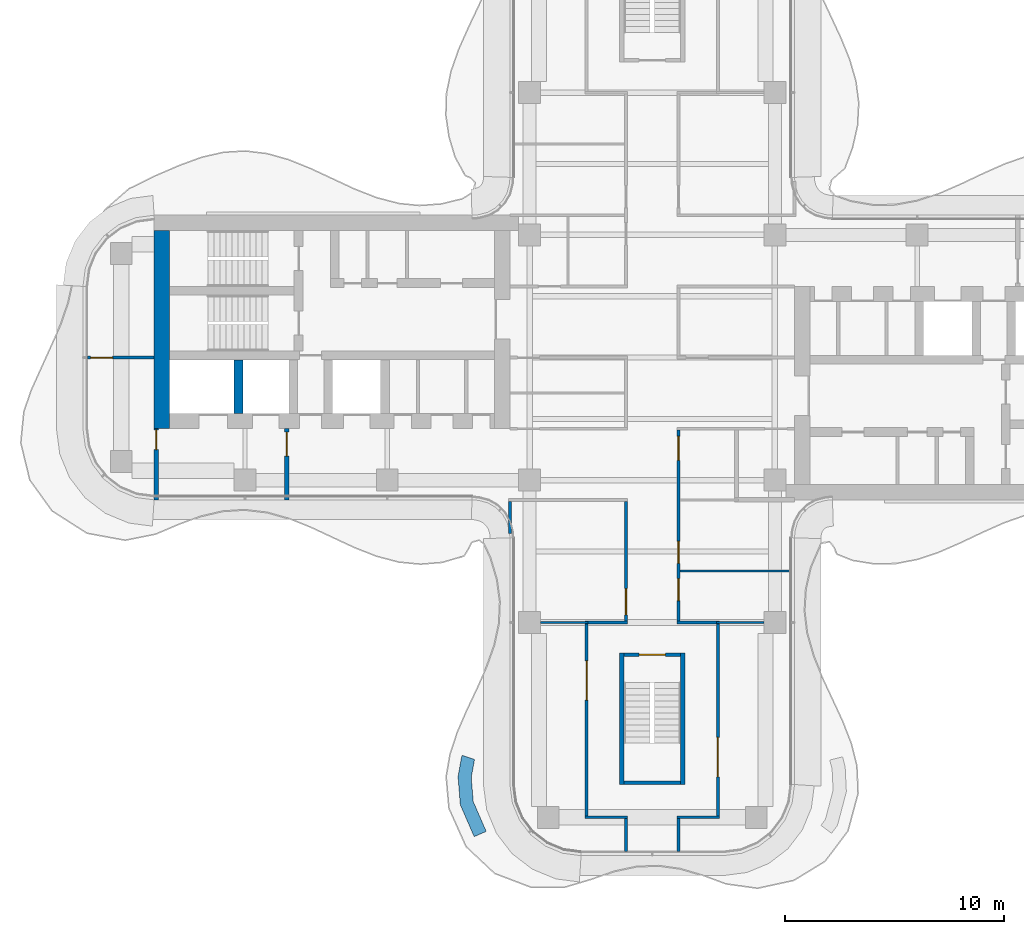
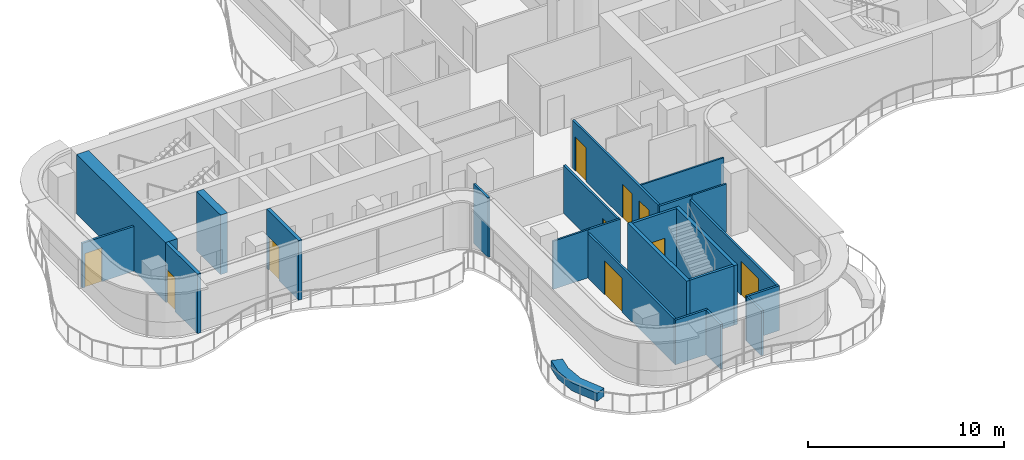
# One storey, part 11 of 17: 24 walls, 10 doors, 10 openings.
"""IFC4 building model written with IfcOpenShell, lengths in metres."""

from ifc_helpers import new_model, si_unit, direction, frame, frame_2d, origin, place, context, subcontext, project, spatial, polyline, rectangle, outline, extrude, source, transform, mapped, material, layer, layer_set, type_object, element, fill, save


model = new_model("IFC4")

# Units and contexts
model_context = context("Model", 3, precision=1e-05, world=origin(), true_north=direction((0.0, 1.0)))
body_context = subcontext(model_context, "Body", "Model", "MODEL_VIEW")
ifc_project = project(units=[si_unit("LENGTHUNIT", "METRE"), si_unit("AREAUNIT", "SQUARE_METRE"), si_unit("VOLUMEUNIT", "CUBIC_METRE"), si_unit("PLANEANGLEUNIT", "RADIAN"), si_unit("MASSUNIT", "GRAM", prefix="KILO")], contexts=[model_context])

# Site, building, storey
site_placement = place(None, origin())
site = spatial("IfcSite", under=ifc_project, at=site_placement, CompositionType="ELEMENT")
building_placement = place(site_placement, origin())
building = spatial("IfcBuilding", under=site, at=building_placement, Name="Trellis Farm Tower", CompositionType="ELEMENT")
storey_placement = place(building_placement, frame((0.0, 0.0, 295.0)))
storey = spatial("IfcBuildingStorey", under=building, at=storey_placement, Name="L66", CompositionType="ELEMENT", Elevation=295.0)

# Walls
ifc_material_1 = material(Name="Sandstone faced masonry planter", Category="masonry")
ifc_layer_1 = layer(ifc_material_1, 0.60009765625)
ifc_layer_set_1 = layer_set([ifc_layer_1], Name="PLANTER BED 600")
wall_type_1 = type_object("IfcWallType", Name="PLANTER BED 600", PredefinedType="USERDEFINED", material=ifc_layer_set_1)
wall_1_placement = place(storey_placement, origin())
element("IfcWall", 1, at=wall_1_placement, inside=storey, type_object=wall_type_1, Name="PLANTER bed", ObjectType="PLANTER", PredefinedType="USERDEFINED", context=body_context, shape_type="SweptSolid", body=[
    extrude(outline(polyline([(-8.86962890625, -19.146484375), (-8.7119140625, -18.24609375), (-8.684814453125, -18.164306640625), (-8.114990234375, -18.35205078125), (-8.265380859375, -19.17431640625), (-8.175048828125, -20.2802734375), (-7.58251953125, -21.6416015625), (-8.1328125, -21.880859375), (-8.764892578125, -20.42822265625), (-8.86962890625, -19.146484375)])), origin(), (0.0, 0.0, 1.0), 0.5),
])
ifc_material_2 = material(Name="Concrete C50/60", Category="concrete")
ifc_layer_2 = layer(ifc_material_2, 0.699951171875)
ifc_layer_set_2 = layer_set([ifc_layer_2], Name="CORE OUTER WALL 700 CONCRETE C50/60")
wall_type_2 = type_object("IfcWallType", Name="CORE OUTER WALL 700 CONCRETE C50/60", PredefinedType="SHEAR", material=ifc_layer_set_2)
shared_shape_1 = source(origin(), body_context, "Body", "SweptSolid", [
    extrude(rectangle(XDim=9.050048828125, YDim=0.699951171875, at=frame_2d((4.52490234375, 0.0))), origin(), (0.0, 0.0, 1.0), 3.699951171875),
])
wall_2_placement = place(storey_placement, frame((-22.39990234375, 5.800048828125, 0.0), z_axis=(0.0, 0.0, 1.0), x_axis=(0.0, -1.0, 0.0)))
element("IfcWall", 2, at=wall_2_placement, inside=storey, type_object=wall_type_2, Name="Core wall", PredefinedType="SHEAR", context=body_context, shape_type="MappedRepresentation", body=[
    mapped(shared_shape_1, transform((0.0, 0.0, 0.0))),
])
ifc_layer_3 = layer(ifc_material_2, 0.39990234375)
ifc_layer_set_3 = layer_set([ifc_layer_3], Name="CORE INNER WALL 400 CONCRETE C50/60")
wall_type_3 = type_object("IfcWallType", Name="CORE INNER WALL 400 CONCRETE C50/60", PredefinedType="SHEAR", material=ifc_layer_set_3)
shared_shape_2 = source(origin(), body_context, "Body", "SweptSolid", [
    extrude(rectangle(XDim=2.449951171875, YDim=0.39990234375, at=frame_2d((1.22509765625, 0.0))), origin(), (0.0, 0.0, 1.0), 3.699951171875),
])
wall_3_placement = place(storey_placement, frame((-18.89990234375, -0.10009765625, 0.0), z_axis=(0.0, 0.0, 1.0), x_axis=(0.0, -1.0, 0.0)))
element("IfcWall", 3, at=wall_3_placement, inside=storey, type_object=wall_type_3, Name="Core wall", PredefinedType="SHEAR", context=body_context, shape_type="MappedRepresentation", body=[
    mapped(shared_shape_2, transform((0.0, 0.0, 0.0))),
])

# Wall, opening, door
ifc_material_3 = material(Name="Masonry blockwork", Category="masonry")
ifc_layer_4 = layer(ifc_material_3, 0.199951171875)
ifc_layer_set_4 = layer_set([ifc_layer_4], Name="FIRE LOBBY PARTITION 200 BLOCKWORK")
wall_type_4 = type_object("IfcWallType", Name="FIRE LOBBY PARTITION 200 BLOCKWORK", PredefinedType="PARTITIONING", material=ifc_layer_set_4)
shared_shape_3 = source(origin(), body_context, "Body", "SweptSolid", [
    extrude(rectangle(XDim=3.25, YDim=0.199951171875, at=frame_2d((1.625, 0.0))), origin(), (0.0, 0.0, 1.0), 3.699951171875),
])
wall_4_placement = place(storey_placement, frame((-16.699951171875, -3.25, 0.0), z_axis=(0.0, 0.0, 1.0), x_axis=(0.0, -1.0, 0.0)))
wall_4 = element("IfcWall", 4, at=wall_4_placement, inside=storey, type_object=wall_type_4, Name="Fire-fighting lobby partition", PredefinedType="PARTITIONING", context=body_context, shape_type="MappedRepresentation", body=[
    mapped(shared_shape_3, transform((0.0, 0.0, 0.0))),
])
shared_shape_4 = source(origin(), body_context, "Body", "SweptSolid", [
    extrude(rectangle(XDim=1.10009765625, YDim=2.10009765625, at=frame_2d((0.550048828125, 1.050048828125))), frame((0.0, 0.110107421875, 0.0), z_axis=(0.0, -1.0, 0.0), x_axis=(1.0, 0.0, 0.0)), (0.0, 0.0, 1.0), 0.22021484375),
])
opening_1_placement = place(wall_4_placement, frame((0.14990234375, 0.0, 0.0)))
opening_1 = element("IfcOpeningElement", 5, at=opening_1_placement, cuts=wall_4, Name="Opening DC93", PredefinedType="OPENING", context=body_context, shape_type="MappedRepresentation", body=[
    mapped(shared_shape_4, transform((0.0, 0.0, 0.0))),
])
ifc_material_4 = material(Name="Steel", Category="steel")
door_type_1 = type_object("IfcDoorType", Name="CORE FIRE DOOR 1100 X 2100", OperationType="NOTDEFINED", PredefinedType="DOOR", material=ifc_material_4)
shared_shape_5 = source(origin(), body_context, "Body", "SweptSolid", [
    extrude(rectangle(XDim=1.10009765625, YDim=2.10009765625, at=frame_2d((0.550048828125, 1.050048828125))), frame((0.0, 0.02490234375, 0.0), z_axis=(0.0, -1.0, 0.0), x_axis=(1.0, 0.0, 0.0)), (0.0, 0.0, 1.0), 0.050048828125),
])
door_1_placement = place(opening_1_placement, origin())
door_1 = element("IfcDoor", 6, at=door_1_placement, inside=storey, type_object=door_type_1, Name="Core door", OperationType="SINGLE_SWING_RIGHT", OverallHeight=2.10009765625, OverallWidth=1.10009765625, PredefinedType="DOOR", context=body_context, shape_type="MappedRepresentation", body=[
    mapped(shared_shape_5, transform((0.0, 0.0, 0.0))),
])
fill(opening_1, door_1)

wall_5_placement = place(storey_placement, frame((-22.64990234375, -3.25, 0.0), z_axis=(0.0, 0.0, 1.0), x_axis=(0.0, -1.0, 0.0)))
wall_5 = element("IfcWall", 7, at=wall_5_placement, inside=storey, type_object=wall_type_4, Name="Fire-fighting lobby partition", PredefinedType="PARTITIONING", context=body_context, shape_type="MappedRepresentation", body=[
    mapped(shared_shape_3, transform((0.0, 0.0, 0.0))),
])
shared_shape_6 = source(origin(), body_context, "Body", "SweptSolid", [
    extrude(rectangle(XDim=0.89990234375, YDim=2.10009765625, at=frame_2d((0.449951171875, 1.050048828125))), frame((0.0, 0.110107421875, 0.0), z_axis=(0.0, -1.0, 0.0), x_axis=(1.0, 0.0, 0.0)), (0.0, 0.0, 1.0), 0.22021484375),
])
opening_2_placement = place(wall_5_placement, frame((0.050048828125, 0.0, 0.0)))
opening_2 = element("IfcOpeningElement", 8, at=opening_2_placement, cuts=wall_5, Name="Opening DC94", PredefinedType="OPENING", context=body_context, shape_type="MappedRepresentation", body=[
    mapped(shared_shape_6, transform((0.0, 0.0, 0.0))),
])
door_type_2 = type_object("IfcDoorType", Name="CORE FIRE DOOR 900 X 2100", OperationType="NOTDEFINED", PredefinedType="DOOR", material=ifc_material_4)
shared_shape_7 = source(origin(), body_context, "Body", "SweptSolid", [
    extrude(rectangle(XDim=0.89990234375, YDim=2.10009765625, at=frame_2d((0.449951171875, 1.050048828125))), frame((0.0, 0.02490234375, 0.0), z_axis=(0.0, -1.0, 0.0), x_axis=(1.0, 0.0, 0.0)), (0.0, 0.0, 1.0), 0.050048828125),
])
door_2_placement = place(opening_2_placement, origin())
door_2 = element("IfcDoor", 9, at=door_2_placement, inside=storey, type_object=door_type_2, Name="Core door", OperationType="SINGLE_SWING_RIGHT", OverallHeight=2.10009765625, OverallWidth=0.89990234375, PredefinedType="DOOR", context=body_context, shape_type="MappedRepresentation", body=[
    mapped(shared_shape_7, transform((0.0, 0.0, 0.0))),
])
fill(opening_2, door_2)

# Walls
ifc_layer_5 = layer(ifc_material_2, 0.199951171875)
ifc_layer_set_5 = layer_set([ifc_layer_5], Name="CORE STAIR ENCLOSURE WALL 200 CONCRETE C50/60")
wall_type_5 = type_object("IfcWallType", Name="CORE STAIR ENCLOSURE WALL 200 CONCRETE C50/60", PredefinedType="SHEAR", material=ifc_layer_set_5)
shared_shape_8 = source(origin(), body_context, "Body", "SweptSolid", [
    extrude(rectangle(XDim=6.0, YDim=0.199951171875, at=frame_2d((3.0, 0.0))), origin(), (0.0, 0.0, 1.0), 3.699951171875),
])
for number, where, z_axis, x_axis, name in (
    (10, (1.39990234375, -13.5, 0.0), (0.0, 0.0, 1.0), (0.0, -1.0, 0.0), "Stair enclosure wall"),
    (11, (-1.39990234375, -13.5, 0.0), (0.0, 0.0, 1.0), (0.0, -1.0, 0.0), "Stair enclosure wall"),
):
    element("IfcWall", number, at=place(storey_placement, frame(where, z_axis=z_axis, x_axis=x_axis)), inside=storey, type_object=wall_type_5, Name=name, PredefinedType="SHEAR", context=body_context, shape_type="MappedRepresentation", body=[
        mapped(shared_shape_8, transform((0.0, 0.0, 0.0))),
    ])

# Wall, opening, door
ifc_layer_6 = layer(ifc_material_2, 0.14990234375)
ifc_layer_set_6 = layer_set([ifc_layer_6], Name="CORE STAIR ENCLOSURE WALL 150 CONCRETE C50/60")
wall_type_6 = type_object("IfcWallType", Name="CORE STAIR ENCLOSURE WALL 150 CONCRETE C50/60", PredefinedType="SHEAR", material=ifc_layer_set_6)
shared_shape_9 = source(origin(), body_context, "Body", "SweptSolid", [
    extrude(rectangle(XDim=2.60009765625, YDim=0.14990234375, at=frame_2d((1.300048828125, 0.0))), origin(), (0.0, 0.0, 1.0), 3.699951171875),
])
wall_6_placement = place(storey_placement, frame((1.300048828125, -13.574951171875, 0.0), z_axis=(0.0, 0.0, 1.0), x_axis=(-1.0, 0.0, 0.0)))
wall_6 = element("IfcWall", 12, at=wall_6_placement, inside=storey, type_object=wall_type_6, Name="Stair enclosure wall", PredefinedType="SHEAR", context=body_context, shape_type="MappedRepresentation", body=[
    mapped(shared_shape_9, transform((0.0, 0.0, 0.0))),
])
shared_shape_10 = source(origin(), body_context, "Body", "SweptSolid", [
    extrude(rectangle(XDim=1.199951171875, YDim=2.10009765625, at=frame_2d((0.60009765625, 1.050048828125))), frame((0.0, 0.0849609375, 0.0), z_axis=(0.0, -1.0, 0.0), x_axis=(1.0, 0.0, 0.0)), (0.0, 0.0, 1.0), 0.169921875),
])
opening_3_placement = place(wall_6_placement, frame((0.699951171875, 0.0, 0.0)))
opening_3 = element("IfcOpeningElement", 13, at=opening_3_placement, cuts=wall_6, Name="Opening DC174", PredefinedType="OPENING", context=body_context, shape_type="MappedRepresentation", body=[
    mapped(shared_shape_10, transform((0.0, 0.0, 0.0))),
])
door_type_3 = type_object("IfcDoorType", Name="CORE FIRE DOOR 1200 X 2100", OperationType="NOTDEFINED", PredefinedType="DOOR", material=ifc_material_4)
shared_shape_11 = source(origin(), body_context, "Body", "SweptSolid", [
    extrude(rectangle(XDim=1.199951171875, YDim=2.10009765625, at=frame_2d((0.60009765625, 1.050048828125))), frame((0.0, 0.02490234375, 0.0), z_axis=(0.0, -1.0, 0.0), x_axis=(1.0, 0.0, 0.0)), (0.0, 0.0, 1.0), 0.050048828125),
])
door_3_placement = place(opening_3_placement, origin())
door_3 = element("IfcDoor", 14, at=door_3_placement, inside=storey, type_object=door_type_3, Name="Core door", OperationType="SINGLE_SWING_RIGHT", OverallHeight=2.10009765625, OverallWidth=1.199951171875, PredefinedType="DOOR", context=body_context, shape_type="MappedRepresentation", body=[
    mapped(shared_shape_11, transform((0.0, 0.0, 0.0))),
])
fill(opening_3, door_3)

# Wall
wall_7_placement = place(storey_placement, frame((1.300048828125, -19.425048828125, 0.0), z_axis=(0.0, 0.0, 1.0), x_axis=(-1.0, 0.0, 0.0)))
element("IfcWall", 15, at=wall_7_placement, inside=storey, type_object=wall_type_6, Name="Stair enclosure wall", PredefinedType="SHEAR", context=body_context, shape_type="MappedRepresentation", body=[
    mapped(shared_shape_9, transform((0.0, 0.0, 0.0))),
])

# Wall, opening, door
ifc_material_5 = material(Name="Plasterboard on steel studs, mineral wool", Category="steel")
ifc_layer_7 = layer(ifc_material_5, 0.125)
ifc_layer_set_7 = layer_set([ifc_layer_7], Name="PARTITION 125 STUD EI 60")
wall_type_7 = type_object("IfcWallType", Name="PARTITION 125 STUD EI 60", PredefinedType="PARTITIONING", material=ifc_layer_set_7)
shared_shape_12 = source(origin(), body_context, "Body", "SweptSolid", [
    extrude(rectangle(XDim=5.47509765625, YDim=0.125, at=frame_2d((2.737548828125, 0.0))), origin(), (0.0, 0.0, 1.0), 2.99658203125),
])
wall_8_placement = place(storey_placement, frame((-1.199951171875, -6.5625, 0.0), z_axis=(0.0, 0.0, 1.0), x_axis=(0.0, -1.0, 0.0)))
wall_8 = element("IfcWall", 16, at=wall_8_placement, inside=storey, type_object=wall_type_7, Name="Partition PW1", PredefinedType="PARTITIONING", context=body_context, shape_type="MappedRepresentation", body=[
    mapped(shared_shape_12, transform((0.0, 0.0, 0.0))),
])
shared_shape_13 = source(origin(), body_context, "Body", "SweptSolid", [
    extrude(rectangle(XDim=1.199951171875, YDim=2.10009765625, at=frame_2d((0.60009765625, 1.050048828125))), frame((0.0, 0.072509765625, 0.0), z_axis=(0.0, -1.0, 0.0), x_axis=(1.0, 0.0, 0.0)), (0.0, 0.0, 1.0), 0.14501953125),
])
opening_4_placement = place(wall_8_placement, frame((3.987548828125, 0.0, 0.0)))
opening_4 = element("IfcOpeningElement", 17, at=opening_4_placement, cuts=wall_8, Name="Opening D601", PredefinedType="OPENING", context=body_context, shape_type="MappedRepresentation", body=[
    mapped(shared_shape_13, transform((0.0, 0.0, 0.0))),
])
ifc_material_6 = material(Name="Fire-rated timber door leaf in a hollow metal frame", Category="wood")
door_type_4 = type_object("IfcDoorType", Name="DOOR 1200x2100 FD30S", OperationType="NOTDEFINED", PredefinedType="DOOR", material=ifc_material_6)
door_4_placement = place(opening_4_placement, origin())
door_4 = element("IfcDoor", 18, at=door_4_placement, inside=storey, type_object=door_type_4, Name="Door D601", OperationType="SINGLE_SWING_RIGHT", OverallHeight=2.10009765625, OverallWidth=1.199951171875, PredefinedType="DOOR", context=body_context, shape_type="MappedRepresentation", body=[
    mapped(shared_shape_11, transform((0.0, 0.0, 0.0))),
])
fill(opening_4, door_4)

# Wall
shared_shape_14 = source(origin(), body_context, "Body", "SweptSolid", [
    extrude(rectangle(XDim=1.468994140625, YDim=0.125, at=frame_2d((0.734375, 0.0))), origin(), (0.0, 0.0, 1.0), 3.699951171875),
])
wall_9_placement = place(storey_placement, frame((-6.5, -6.5625, 0.0), z_axis=(0.0, 0.0, 1.0), x_axis=(0.0, -1.0, 0.0)))
element("IfcWall", 19, at=wall_9_placement, inside=storey, type_object=wall_type_7, Name="Partition PW1", PredefinedType="PARTITIONING", context=body_context, shape_type="MappedRepresentation", body=[
    mapped(shared_shape_14, transform((0.0, 0.0, 0.0))),
])

# Wall, openings, doors
shared_shape_15 = source(origin(), body_context, "Body", "SweptSolid", [
    extrude(rectangle(XDim=8.72509765625, YDim=0.125, at=frame_2d((4.362548828125, 0.0))), origin(), (0.0, 0.0, 1.0), 2.99658203125),
])
wall_10_placement = place(storey_placement, frame((1.199951171875, -3.3125, 0.0), z_axis=(0.0, 0.0, 1.0), x_axis=(0.0, -1.0, 0.0)))
wall_10 = element("IfcWall", 20, at=wall_10_placement, inside=storey, type_object=wall_type_7, Name="Partition PW1", PredefinedType="PARTITIONING", context=body_context, shape_type="MappedRepresentation", body=[
    mapped(shared_shape_15, transform((0.0, 0.0, 0.0))),
])
shared_shape_16 = source(origin(), body_context, "Body", "SweptSolid", [
    extrude(rectangle(XDim=1.0, YDim=2.10009765625, at=frame_2d((0.5, 1.050048828125))), frame((0.0, 0.072509765625, 0.0), z_axis=(0.0, -1.0, 0.0), x_axis=(1.0, 0.0, 0.0)), (0.0, 0.0, 1.0), 0.14501953125),
])
opening_5_placement = place(wall_10_placement, frame((6.78759765625, 0.0, 0.0)))
opening_5 = element("IfcOpeningElement", 21, at=opening_5_placement, cuts=wall_10, Name="Opening D101", PredefinedType="OPENING", context=body_context, shape_type="MappedRepresentation", body=[
    mapped(shared_shape_16, transform((0.0, 0.0, 0.0))),
])
opening_6_placement = place(wall_10_placement, frame((5.08740234375, 0.0, 0.0)))
opening_6 = element("IfcOpeningElement", 22, at=opening_6_placement, cuts=wall_10, Name="Opening D102", PredefinedType="OPENING", context=body_context, shape_type="MappedRepresentation", body=[
    mapped(shared_shape_16, transform((0.0, 0.0, 0.0))),
])
shared_shape_17 = source(origin(), body_context, "Body", "SweptSolid", [
    extrude(rectangle(XDim=1.10009765625, YDim=2.10009765625, at=frame_2d((0.550048828125, 1.050048828125))), frame((0.0, 0.072509765625, 0.0), z_axis=(0.0, -1.0, 0.0), x_axis=(1.0, 0.0, 0.0)), (0.0, 0.0, 1.0), 0.14501953125),
])
opening_7_placement = place(wall_10_placement, frame((0.28759765625, 0.0, 0.0)))
opening_7 = element("IfcOpeningElement", 23, at=opening_7_placement, cuts=wall_10, Name="Opening D501", PredefinedType="OPENING", context=body_context, shape_type="MappedRepresentation", body=[
    mapped(shared_shape_17, transform((0.0, 0.0, 0.0))),
])
door_type_5 = type_object("IfcDoorType", Name="DOOR 1100x2100 FD30S", OperationType="NOTDEFINED", PredefinedType="DOOR", material=ifc_material_6)
door_5_placement = place(opening_7_placement, origin())
door_5 = element("IfcDoor", 24, at=door_5_placement, inside=storey, type_object=door_type_5, Name="Door D501", OperationType="SINGLE_SWING_LEFT", OverallHeight=2.10009765625, OverallWidth=1.10009765625, PredefinedType="DOOR", context=body_context, shape_type="MappedRepresentation", body=[
    mapped(shared_shape_5, transform((0.0, 0.0, 0.0))),
])
fill(opening_7, door_5)
door_type_6 = type_object("IfcDoorType", Name="DOOR 1000x2100 FD30S", OperationType="NOTDEFINED", PredefinedType="DOOR", material=ifc_material_6)
shared_shape_18 = source(origin(), body_context, "Body", "SweptSolid", [
    extrude(rectangle(XDim=1.0, YDim=2.10009765625, at=frame_2d((0.5, 1.050048828125))), frame((0.0, 0.02490234375, 0.0), z_axis=(0.0, -1.0, 0.0), x_axis=(1.0, 0.0, 0.0)), (0.0, 0.0, 1.0), 0.050048828125),
])
door_6_placement = place(opening_5_placement, origin())
door_6 = element("IfcDoor", 25, at=door_6_placement, inside=storey, type_object=door_type_6, Name="Door D101", OperationType="SINGLE_SWING_LEFT", OverallHeight=2.10009765625, OverallWidth=1.0, PredefinedType="DOOR", context=body_context, shape_type="MappedRepresentation", body=[
    mapped(shared_shape_18, transform((0.0, 0.0, 0.0))),
])
fill(opening_5, door_6)
door_7_placement = place(opening_6_placement, origin())
door_7 = element("IfcDoor", 26, at=door_7_placement, inside=storey, type_object=door_type_6, Name="Door D102", OperationType="SINGLE_SWING_RIGHT", OverallHeight=2.10009765625, OverallWidth=1.0, PredefinedType="DOOR", context=body_context, shape_type="MappedRepresentation", body=[
    mapped(shared_shape_18, transform((0.0, 0.0, 0.0))),
])
fill(opening_6, door_7)

# Walls
shared_shape_19 = source(origin(), body_context, "Body", "SweptSolid", [
    extrude(rectangle(XDim=1.925048828125, YDim=0.125, at=frame_2d((0.96240234375, 0.0))), origin(), (0.0, 0.0, 1.0), 2.99658203125),
])
for number, where, z_axis, x_axis, name in (
    (27, (-3.0625, -12.10009765625, 0.0), (0.0, 0.0, 1.0), (1.0, 0.0, 0.0), "Partition PW1"),
    (28, (1.137451171875, -12.10009765625, 0.0), (0.0, 0.0, 1.0), (1.0, 0.0, 0.0), "Partition PW1"),
):
    element("IfcWall", number, at=place(storey_placement, frame(where, z_axis=z_axis, x_axis=x_axis)), inside=storey, type_object=wall_type_7, Name=name, PredefinedType="PARTITIONING", context=body_context, shape_type="MappedRepresentation", body=[
        mapped(shared_shape_19, transform((0.0, 0.0, 0.0))),
    ])
ifc_material_7 = material(Name="Plasterboard on steel studs", Category="steel")
ifc_layer_8 = layer(ifc_material_7, 0.10009765625)
ifc_layer_set_8 = layer_set([ifc_layer_8], Name="PARTITION 100 STUD EI 30")
wall_type_8 = type_object("IfcWallType", Name="PARTITION 100 STUD EI 30", PredefinedType="PARTITIONING", material=ifc_layer_set_8)
shared_shape_20 = source(origin(), body_context, "Body", "SweptSolid", [
    extrude(rectangle(XDim=5.03759765625, YDim=0.10009765625, at=frame_2d((2.518798828125, 0.0))), origin(), (0.0, 0.0, 1.0), 2.780029296875),
])
wall_11_placement = place(storey_placement, frame((1.262451171875, -9.75, 0.0), z_axis=(0.0, 0.0, 1.0), x_axis=(1.0, 0.0, 0.0)))
element("IfcWall", 29, at=wall_11_placement, inside=storey, type_object=wall_type_8, Name="Partition PW2", PredefinedType="PARTITIONING", context=body_context, shape_type="MappedRepresentation", body=[
    mapped(shared_shape_20, transform((0.0, 0.0, 0.0))),
])
shared_shape_21 = source(origin(), body_context, "Body", "SweptSolid", [
    extrude(rectangle(XDim=1.487548828125, YDim=0.125, at=frame_2d((0.74365234375, 0.0))), origin(), (0.0, 0.0, 1.0), 2.780029296875),
])
for number, where, z_axis, x_axis, name in (
    (30, (-1.199951171875, -21.0625, 0.0), (0.0, 0.0, 1.0), (0.0, -1.0, 0.0), "Partition PW1"),
    (31, (1.199951171875, -21.0625, 0.0), (0.0, 0.0, 1.0), (0.0, -1.0, 0.0), "Partition PW1"),
):
    element("IfcWall", number, at=place(storey_placement, frame(where, z_axis=z_axis, x_axis=x_axis)), inside=storey, type_object=wall_type_7, Name=name, PredefinedType="PARTITIONING", context=body_context, shape_type="MappedRepresentation", body=[
        mapped(shared_shape_21, transform((0.0, 0.0, 0.0))),
    ])
shared_shape_22 = source(origin(), body_context, "Body", "SweptSolid", [
    extrude(rectangle(XDim=1.925048828125, YDim=0.125, at=frame_2d((0.96240234375, 0.0))), origin(), (0.0, 0.0, 1.0), 2.780029296875),
])
for number, where, z_axis, x_axis, name in (
    (32, (-1.137451171875, -21.0, 0.0), (0.0, 0.0, 1.0), (-1.0, 0.0, 0.0), "Partition PW1"),
    (33, (3.0625, -21.0, 0.0), (0.0, 0.0, 1.0), (-1.0, 0.0, 0.0), "Partition PW1"),
):
    element("IfcWall", number, at=place(storey_placement, frame(where, z_axis=z_axis, x_axis=x_axis)), inside=storey, type_object=wall_type_7, Name=name, PredefinedType="PARTITIONING", context=body_context, shape_type="MappedRepresentation", body=[
        mapped(shared_shape_22, transform((0.0, 0.0, 0.0))),
    ])

# Wall, opening, door
shared_shape_23 = source(origin(), body_context, "Body", "SweptSolid", [
    extrude(rectangle(XDim=8.78759765625, YDim=0.125, at=frame_2d((4.393798828125, 0.0))), origin(), (0.0, 0.0, 1.0), 2.780029296875),
])
wall_12_placement = place(storey_placement, frame((-3.0, -20.9375, 0.0), z_axis=(0.0, 0.0, 1.0), x_axis=(0.0, 1.0, 0.0)))
wall_12 = element("IfcWall", 34, at=wall_12_placement, inside=storey, type_object=wall_type_7, Name="Partition PW1", PredefinedType="PARTITIONING", context=body_context, shape_type="MappedRepresentation", body=[
    mapped(shared_shape_23, transform((0.0, 0.0, 0.0))),
])
shared_shape_24 = source(origin(), body_context, "Body", "SweptSolid", [
    extrude(rectangle(XDim=1.800048828125, YDim=2.10009765625, at=frame_2d((0.89990234375, 1.050048828125))), frame((0.0, 0.072509765625, 0.0), z_axis=(0.0, -1.0, 0.0), x_axis=(1.0, 0.0, 0.0)), (0.0, 0.0, 1.0), 0.14501953125),
])
opening_8_placement = place(wall_12_placement, frame((5.28759765625, 0.0, 0.0)))
opening_8 = element("IfcOpeningElement", 35, at=opening_8_placement, cuts=wall_12, Name="Opening D202", PredefinedType="OPENING", context=body_context, shape_type="MappedRepresentation", body=[
    mapped(shared_shape_24, transform((0.0, 0.0, 0.0))),
])
door_type_7 = type_object("IfcDoorType", Name="DOOR PAIR 1800x2100 FD30S", OperationType="NOTDEFINED", PredefinedType="DOOR", material=ifc_material_6)
shared_shape_25 = source(origin(), body_context, "Body", "SweptSolid", [
    extrude(rectangle(XDim=1.800048828125, YDim=2.10009765625, at=frame_2d((0.89990234375, 1.050048828125))), frame((0.0, 0.02490234375, 0.0), z_axis=(0.0, -1.0, 0.0), x_axis=(1.0, 0.0, 0.0)), (0.0, 0.0, 1.0), 0.050048828125),
])
door_8_placement = place(opening_8_placement, origin())
door_8 = element("IfcDoor", 36, at=door_8_placement, inside=storey, type_object=door_type_7, Name="Door D202", OperationType="DOUBLE_DOOR_SINGLE_SWING", OverallHeight=2.10009765625, OverallWidth=1.800048828125, PredefinedType="DOOR", context=body_context, shape_type="MappedRepresentation", body=[
    mapped(shared_shape_25, transform((0.0, 0.0, 0.0))),
])
fill(opening_8, door_8)

wall_13_placement = place(storey_placement, frame((3.0, -12.14990234375, 0.0), z_axis=(0.0, 0.0, 1.0), x_axis=(0.0, -1.0, 0.0)))
wall_13 = element("IfcWall", 37, at=wall_13_placement, inside=storey, type_object=wall_type_7, Name="Partition PW1", PredefinedType="PARTITIONING", context=body_context, shape_type="MappedRepresentation", body=[
    mapped(shared_shape_23, transform((0.0, 0.0, 0.0))),
])
opening_9_placement = place(wall_13_placement, frame((5.199951171875, 0.0, 0.0)))
opening_9 = element("IfcOpeningElement", 38, at=opening_9_placement, cuts=wall_13, Name="Opening D201", PredefinedType="OPENING", context=body_context, shape_type="MappedRepresentation", body=[
    mapped(shared_shape_24, transform((0.0, 0.0, 0.0))),
])
door_9_placement = place(opening_9_placement, origin())
door_9 = element("IfcDoor", 39, at=door_9_placement, inside=storey, type_object=door_type_7, Name="Door D201", OperationType="DOUBLE_DOOR_SINGLE_SWING", OverallHeight=2.10009765625, OverallWidth=1.800048828125, PredefinedType="DOOR", context=body_context, shape_type="MappedRepresentation", body=[
    mapped(shared_shape_25, transform((0.0, 0.0, 0.0))),
])
fill(opening_9, door_9)

shared_shape_26 = source(origin(), body_context, "Body", "SweptSolid", [
    extrude(rectangle(XDim=3.050048828125, YDim=0.125, at=frame_2d((1.52490234375, 0.0))), origin(), (0.0, 0.0, 1.0), 2.780029296875),
])
wall_14_placement = place(storey_placement, frame((-25.800048828125, 0.0, 0.0), z_axis=(0.0, 0.0, 1.0), x_axis=(1.0, 0.0, 0.0)))
wall_14 = element("IfcWall", 40, at=wall_14_placement, inside=storey, type_object=wall_type_7, Name="Partition PW1", PredefinedType="PARTITIONING", context=body_context, shape_type="MappedRepresentation", body=[
    mapped(shared_shape_26, transform((0.0, 0.0, 0.0))),
])
opening_10_placement = place(wall_14_placement, frame((0.14990234375, 0.0, 0.0)))
opening_10 = element("IfcOpeningElement", 41, at=opening_10_placement, cuts=wall_14, Name="Opening D104", PredefinedType="OPENING", context=body_context, shape_type="MappedRepresentation", body=[
    mapped(shared_shape_16, transform((0.0, 0.0, 0.0))),
])
door_10_placement = place(opening_10_placement, origin())
door_10 = element("IfcDoor", 42, at=door_10_placement, inside=storey, type_object=door_type_6, Name="Door D104", OperationType="SINGLE_SWING_LEFT", OverallHeight=2.10009765625, OverallWidth=1.0, PredefinedType="DOOR", context=body_context, shape_type="MappedRepresentation", body=[
    mapped(shared_shape_18, transform((0.0, 0.0, 0.0))),
])
fill(opening_10, door_10)

# Walls
shared_shape_27 = source(origin(), body_context, "Body", "SweptSolid", [
    extrude(rectangle(XDim=2.16259765625, YDim=0.10009765625, at=frame_2d((1.081298828125, 0.0))), origin(), (0.0, 0.0, 1.0), 2.99658203125),
])
for number, where, z_axis, x_axis, name in (
    (43, (-5.10009765625, -12.10009765625, 0.0), (0.0, 0.0, 1.0), (1.0, 0.0, 0.0), "Partition PW2"),
    (44, (2.9375, -12.10009765625, 0.0), (0.0, 0.0, 1.0), (1.0, 0.0, 0.0), "Partition PW2"),
):
    element("IfcWall", number, at=place(storey_placement, frame(where, z_axis=z_axis, x_axis=x_axis)), inside=storey, type_object=wall_type_8, Name=name, PredefinedType="PARTITIONING", context=body_context, shape_type="MappedRepresentation", body=[
        mapped(shared_shape_27, transform((0.0, 0.0, 0.0))),
    ])

save(model, "model.ifc")
